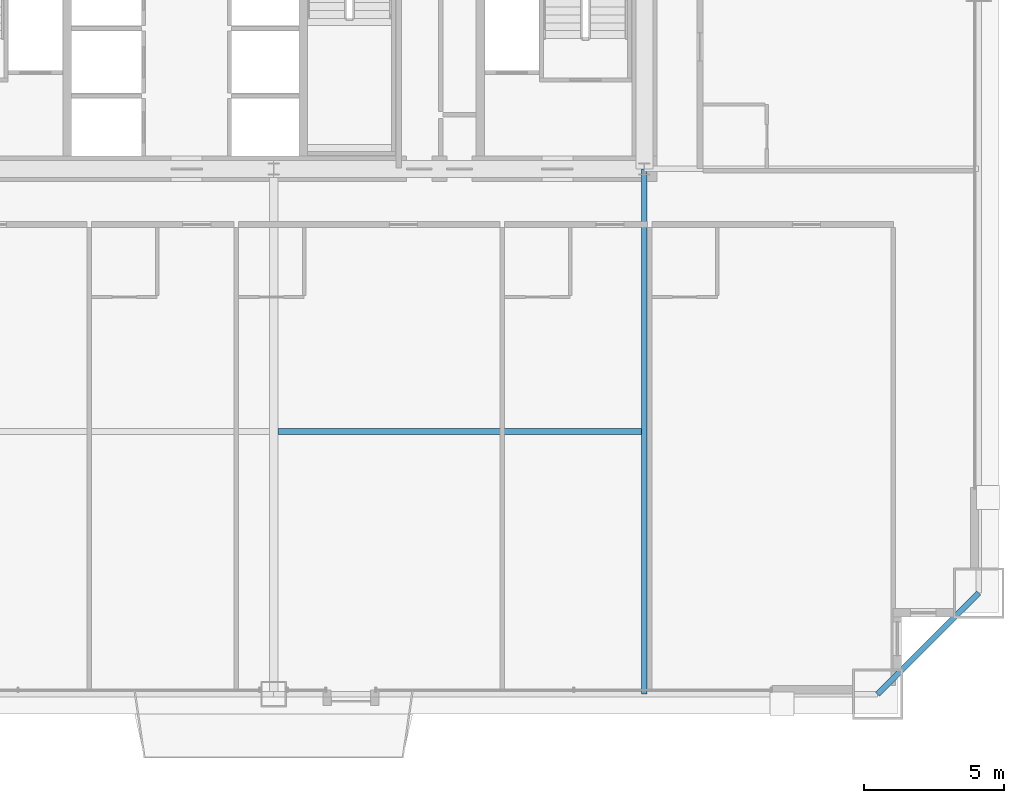
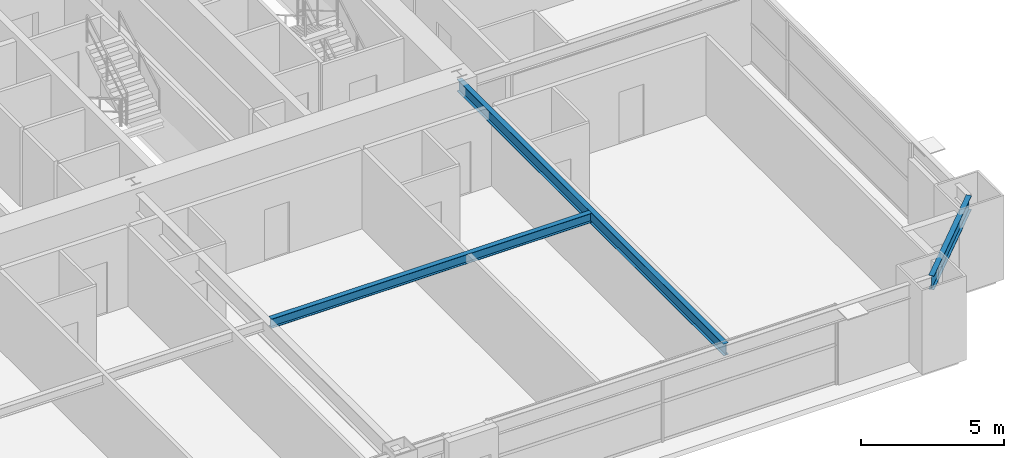
# One storey, part 16 of 43: 3 beams.
"""IFC4 building model written with IfcOpenShell, lengths in metres."""

import ifcopenshell
import ifcopenshell.guid

model = None  # the IFC model being written
_history = None  # IfcOwnerHistory: only IFC2X3 demands one
_inside = {}  # id of a spatial element -> (the spatial element, [elements in it])
_under = {}  # id of a project, library or spatial element -> (it, [spatial elements below it])
_declared = {}  # id of a project -> (the project, [libraries it declares])
_typed = {}  # id of a type object -> (the type object, [elements of that type])
_made_of = {}  # id of a material, layer set ... -> (it, [elements and type objects made of it])


def new_model(schema):
    """Start an empty IFC model of exactly this schema.

    Asked for "IFC4X3", IfcOpenShell would pick the latest addendum, in which some entities
    have other attributes; the version numbers below select the first issue.
    IFC2X3 requires an IfcOwnerHistory on every rooted entity: one is made here for all.
    """
    global model, _history
    if schema == "IFC4X3":
        model = ifcopenshell.file(schema_version=(4, 3, 0, 0))
    else:
        model = ifcopenshell.file(schema=schema)
    _inside.clear()
    _under.clear()
    _declared.clear()
    _typed.clear()
    _made_of.clear()
    _history = None
    if model.schema == "IFC2X3":
        org = make("IfcOrganization", Name="unknown")
        user = make(
            "IfcPersonAndOrganization",
            ThePerson=make("IfcPerson", FamilyName="unknown"),
            TheOrganization=org,
        )
        app = make(
            "IfcApplication",
            ApplicationDeveloper=org,
            Version="unknown",
            ApplicationFullName="unknown",
            ApplicationIdentifier="unknown",
        )
        _history = make(
            "IfcOwnerHistory",
            OwningUser=user,
            OwningApplication=app,
            ChangeAction="ADDED",
            CreationDate=0,
        )
    return model


def make(cls, **values):
    """One entity of the class cls with the attributes given. An attribute that is None is left unset."""
    return model.create_entity(
        cls, **{name: value for name, value in values.items() if value is not None}
    )


def rooted(cls, **values):
    """An entity with a GlobalId (a new one), such as an element, a storey or a relation."""
    return make(cls, GlobalId=ifcopenshell.guid.new(), OwnerHistory=_history, **values)


def si_unit(unit_type, name, prefix=None):
    """IfcSIUnit, for example si_unit("LENGTHUNIT", "METRE", prefix="MILLI")."""
    return make("IfcSIUnit", UnitType=unit_type, Prefix=prefix, Name=name)


def assignment(units):
    """IfcUnitAssignment: the units of a project."""
    return None if units is None else make("IfcUnitAssignment", Units=units)


def point(xyz):
    """IfcCartesianPoint."""
    return None if xyz is None else make("IfcCartesianPoint", Coordinates=xyz)


def direction(xyz):
    """IfcDirection."""
    return None if xyz is None else make("IfcDirection", DirectionRatios=xyz)


def frame(location, z_axis=None, x_axis=None):
    """IfcAxis2Placement3D, a coordinate frame: its origin and axes. An axis left out is left unset."""
    return make(
        "IfcAxis2Placement3D",
        Location=point(location),
        Axis=direction(z_axis),
        RefDirection=direction(x_axis),
    )


def frame_2d(location, x_axis=None):
    """IfcAxis2Placement2D, a coordinate frame in the plane: its origin and x axis."""
    return make(
        "IfcAxis2Placement2D", Location=point(location), RefDirection=direction(x_axis)
    )


def origin():
    """The frame at (0, 0, 0) with its axes left unset."""
    return frame((0.0, 0.0, 0.0))


def origin_2d():
    """The frame at (0, 0) in the plane with its x axis left unset."""
    return frame_2d((0.0, 0.0))


def place(relative_to, where):
    """IfcLocalPlacement: puts the frame where relative to a parent placement (None: the world)."""
    return make(
        "IfcLocalPlacement", PlacementRelTo=relative_to, RelativePlacement=where
    )


def context(
    kind, dimensions, precision=None, world=None, true_north=None, identifier=None
):
    """IfcGeometricRepresentationContext, for example the 3D "Model" context."""
    return make(
        "IfcGeometricRepresentationContext",
        ContextIdentifier=identifier,
        ContextType=kind,
        CoordinateSpaceDimension=dimensions,
        Precision=precision,
        WorldCoordinateSystem=world,
        TrueNorth=true_north,
    )


def subcontext(parent, identifier, kind, view, scale=None):
    """IfcGeometricRepresentationSubContext, for example "Body" below "Model"."""
    return make(
        "IfcGeometricRepresentationSubContext",
        ContextIdentifier=identifier,
        ContextType=kind,
        ParentContext=parent,
        TargetScale=scale,
        TargetView=view,
    )


def project(units=None, contexts=None):
    """IfcProject with its units and contexts."""
    return rooted(
        "IfcProject",
        Name="project",
        RepresentationContexts=contexts,
        UnitsInContext=assignment(units),
    )


def spatial(cls, under=None, at=None, **own):
    """A site, building, storey or space (cls), placed at a placement, below another one or the project."""
    s = rooted(cls, ObjectPlacement=at, **own)
    if under is not None:
        _under.setdefault(under.id(), (under, []))[1].append(s)
    return s


def profile(cls, at=None, kind="AREA", **sizes):
    """A parametric profile (cls). Its sizes go by their IFC names, for example OverallWidth=200.0."""
    return make(cls, ProfileType=kind, Position=at, **sizes)


def i_section(**sizes):
    """IfcIShapeProfileDef."""
    return profile("IfcIShapeProfileDef", **sizes)


def extrude(swept, where, along, depth):
    """IfcExtrudedAreaSolid: the profile swept, set in the frame where, extruded along a direction by depth."""
    return make(
        "IfcExtrudedAreaSolid",
        SweptArea=swept,
        Position=where,
        ExtrudedDirection=direction(along),
        Depth=depth,
    )


def shape(context_of_items, identifier, shape_type, items):
    """IfcShapeRepresentation: the items that make up one representation, for example the "Body"."""
    return make(
        "IfcShapeRepresentation",
        ContextOfItems=context_of_items,
        RepresentationIdentifier=identifier,
        RepresentationType=shape_type,
        Items=items,
    )


def source(mapping_origin, context_of_items, identifier, shape_type, items):
    """IfcRepresentationMap: a shape defined once, which mapped items show again and again."""
    return make(
        "IfcRepresentationMap",
        MappingOrigin=mapping_origin,
        MappedRepresentation=shape(context_of_items, identifier, shape_type, items),
    )


def transform(
    local_origin,
    x_axis=None,
    y_axis=None,
    z_axis=None,
    scale=None,
    scale2=None,
    scale3=None,
    uniform=True,
):
    """IfcCartesianTransformationOperator3D, or its non-uniform kind. x_axis, y_axis, z_axis: its Axis1, 2, 3."""
    if uniform:
        return make(
            "IfcCartesianTransformationOperator3D",
            Axis1=direction(x_axis),
            Axis2=direction(y_axis),
            LocalOrigin=point(local_origin),
            Scale=scale,
            Axis3=direction(z_axis),
        )
    return make(
        "IfcCartesianTransformationOperator3DnonUniform",
        Axis1=direction(x_axis),
        Axis2=direction(y_axis),
        LocalOrigin=point(local_origin),
        Scale=scale,
        Axis3=direction(z_axis),
        Scale2=scale2,
        Scale3=scale3,
    )


def mapped(mapping_source, mapping_target):
    """IfcMappedItem: shows the shape of a source again, moved by a transform."""
    return make(
        "IfcMappedItem", MappingSource=mapping_source, MappingTarget=mapping_target
    )


def material(Name=None, Category=None):
    """IfcMaterial."""
    return make("IfcMaterial", Name=Name, Category=Category)


def material_profile(
    of_material, cross_section, Name=None, Category=None, Priority=None
):
    """IfcMaterialProfile: a cross section and its material."""
    return make(
        "IfcMaterialProfile",
        Name=Name,
        Material=of_material,
        Profile=cross_section,
        Priority=Priority,
        Category=Category,
    )


def profile_set(profiles, Name=None, composite=None):
    """IfcMaterialProfileSet."""
    return make(
        "IfcMaterialProfileSet",
        Name=Name,
        MaterialProfiles=profiles,
        CompositeProfile=composite,
    )


def made_of(thing, what):
    """Note that an element or type object is made of a material, layer set ...; save() writes the relation."""
    if what is not None:
        _made_of.setdefault(what.id(), (what, []))[1].append(thing)
    return thing


def type_object(cls, material=None, **own):
    """A type object (cls), such as IfcWallType, which elements share."""
    return made_of(rooted(cls, **own), material)


def element(
    cls,
    number,
    at=None,
    inside=None,
    cuts=None,
    type_object=None,
    material=None,
    context=None,
    identifier="Body",
    shape_type=None,
    held_by="IfcProductDefinitionShape",
    body=None,
    shapes=None,
    **own,
):
    """One element of the class cls, such as IfcWall. Its Tag is "e" and its number.

    at: its placement. inside: the storey or other place that contains it. cuts: it is an
    opening in that element (IfcRelVoidsElement). A single representation is given by context,
    identifier, shape_type and body (its items); several are given by shapes. held_by: the class
    of the entity that holds the representations. save() writes the other relations.
    """
    e = rooted(cls, Tag="e%d" % number, ObjectPlacement=at, **own)
    if body is not None:
        shapes = [shape(context, identifier, shape_type, body)]
    if shapes is not None:
        e.Representation = make(held_by, Representations=shapes)
    if inside is not None:
        _inside.setdefault(inside.id(), (inside, []))[1].append(e)
    if cuts is not None:
        rooted(
            "IfcRelVoidsElement", RelatingBuildingElement=cuts, RelatedOpeningElement=e
        )
    if type_object is not None:
        _typed.setdefault(type_object.id(), (type_object, []))[1].append(e)
    return made_of(e, material)


def aggregate(whole, parts):
    """IfcRelAggregates: a whole, such as a stair, and the parts it consists of."""
    return rooted("IfcRelAggregates", RelatingObject=whole, RelatedObjects=parts)


def save(model, path):
    """Write the relations noted so far, then the file.

    IfcRelAggregates (storeys below a building ...), IfcRelContainedInSpatialStructure (elements
    in a storey), IfcRelDefinesByType, IfcRelAssociatesMaterial and IfcRelDeclares: one each for
    every whole, place, type object, material and project.
    """
    for whole, parts in _under.values():
        aggregate(whole, parts)
    for where, things in _inside.values():
        rooted(
            "IfcRelContainedInSpatialStructure",
            RelatedElements=things,
            RelatingStructure=where,
        )
    for kind, things in _typed.values():
        rooted("IfcRelDefinesByType", RelatedObjects=things, RelatingType=kind)
    for what, things in _made_of.values():
        rooted("IfcRelAssociatesMaterial", RelatedObjects=things, RelatingMaterial=what)
    for by, libraries in _declared.values():
        rooted("IfcRelDeclares", RelatingContext=by, RelatedDefinitions=libraries)
    model.write(path)


model = new_model("IFC4")

# Units and contexts
model_context = context("Model", 3, precision=1e-05, world=origin(), true_north=direction((0.0, 1.0)))
body_context = subcontext(model_context, "Body", "Model", "MODEL_VIEW")
ifc_project = project(units=[si_unit("LENGTHUNIT", "METRE"), si_unit("AREAUNIT", "SQUARE_METRE"), si_unit("VOLUMEUNIT", "CUBIC_METRE"), si_unit("PLANEANGLEUNIT", "RADIAN"), si_unit("MASSUNIT", "GRAM", prefix="KILO"), si_unit("THERMODYNAMICTEMPERATUREUNIT", "KELVIN"), si_unit("POWERUNIT", "WATT")], contexts=[model_context])

# Site, building, storey
site_placement = place(None, origin())
site = spatial("IfcSite", under=ifc_project, at=site_placement, CompositionType="ELEMENT")
building_placement = place(site_placement, origin())
building = spatial("IfcBuilding", under=site, at=building_placement, Name="Yuzanri Waterfront Tower", CompositionType="ELEMENT")
storey_placement = place(building_placement, frame((0.0, 0.0, 64.0)))
storey = spatial("IfcBuildingStorey", under=building, at=storey_placement, Name="L16", CompositionType="ELEMENT", Elevation=64.0)

# Beams
ifc_material_1 = material(Name="Steel Q355B", Category="steel")
ifc_material_profile_1 = material_profile(ifc_material_1, i_section(OverallWidth=0.199951171875, OverallDepth=0.60009765625, WebThickness=0.010986328125, FlangeThickness=0.01708984375, at=origin_2d()), Name="HN 600x200x11x17")
ifc_profile_set_1 = profile_set([ifc_material_profile_1], Name="Steel Q355B")
beam_type_1 = type_object("IfcBeamType", Name="Perimeter Spandrel Q355B HN 600x200", PredefinedType="SPANDREL", material=ifc_profile_set_1)
shared_shape_1 = source(origin(), body_context, "Body", "SweptSolid", [
    extrude(i_section(OverallWidth=0.199951171875, OverallDepth=0.60009765625, WebThickness=0.010986328125, FlangeThickness=0.01708984375, at=origin_2d()), origin(), (0.0, 0.0, 1.0), 5.09130859375),
])
beam_1_placement = place(storey_placement, frame((58.5, 0.699951171875, 3.080078125), z_axis=(0.707106781187, 0.707106781187, 0.0), x_axis=(-0.707106781187, 0.707106781187, 0.0)))
element("IfcBeam", 1, at=beam_1_placement, inside=storey, type_object=beam_type_1, Name="L16 Perimeter Spandrel S3-E1", PredefinedType="SPANDREL", context=body_context, shape_type="MappedRepresentation", body=[
    mapped(shared_shape_1, transform((0.0, 0.0, 0.0), scale=1.0)),
])
ifc_material_2 = material(Name="Steel Q355B", Category="steel")
ifc_material_profile_2 = material_profile(ifc_material_2, i_section(OverallWidth=0.199951171875, OverallDepth=0.5, WebThickness=0.010009765625, FlangeThickness=0.01611328125, at=origin_2d()), Name="HN 500x200x10x16")
ifc_profile_set_2 = profile_set([ifc_material_profile_2], Name="Steel Q355B")
beam_type_2 = type_object("IfcBeamType", Name="Secondary Floor Beam Q355B HN 500x200", PredefinedType="BEAM", material=ifc_profile_set_2)
shared_shape_2 = source(origin(), body_context, "Body", "SweptSolid", [
    extrude(i_section(OverallWidth=0.199951171875, OverallDepth=0.5, WebThickness=0.010009765625, FlangeThickness=0.01611328125, at=origin_2d()), origin(), (0.0, 0.0, 1.0), 18.699951171875),
])
beam_2_placement = place(storey_placement, frame((50.199951171875, 19.39990234375, 3.1298828125), z_axis=(0.0, -1.0, 0.0), x_axis=(1.0, 0.0, 0.0)))
element("IfcBeam", 2, at=beam_2_placement, inside=storey, type_object=beam_type_2, Name="L16 South-East Core Line Beam", PredefinedType="BEAM", context=body_context, shape_type="MappedRepresentation", body=[
    mapped(shared_shape_2, transform((0.0, 0.0, 0.0), scale=1.0)),
])
ifc_material_3 = material(Name="Steel Q355B", Category="steel")
ifc_material_profile_3 = material_profile(ifc_material_3, i_section(OverallWidth=0.199951171875, OverallDepth=0.39990234375, WebThickness=0.008056640625, FlangeThickness=0.012939453125, at=origin_2d()), Name="HN 400x200x8x13")
ifc_profile_set_3 = profile_set([ifc_material_profile_3], Name="Steel Q355B")
beam_type_3 = type_object("IfcBeamType", Name="Floor Joist Q355B HN 400x200", PredefinedType="JOIST", material=ifc_profile_set_3)
shared_shape_3 = source(origin(), body_context, "Body", "SweptSolid", [
    extrude(i_section(OverallWidth=0.199951171875, OverallDepth=0.39990234375, WebThickness=0.008056640625, FlangeThickness=0.012939453125, at=origin_2d()), origin(), (0.0, 0.0, 1.0), 12.9501953125),
])
beam_3_placement = place(storey_placement, frame((37.14990234375, 10.050048828125, 3.179931640625), z_axis=(1.0, 0.0, 0.0), x_axis=(0.0, 1.0, 0.0)))
element("IfcBeam", 3, at=beam_3_placement, inside=storey, type_object=beam_type_3, Name="L16 South Bay Joist E", PredefinedType="JOIST", context=body_context, shape_type="MappedRepresentation", body=[
    mapped(shared_shape_3, transform((0.0, 0.0, 0.0), scale=1.0)),
])

save(model, "model.ifc")
